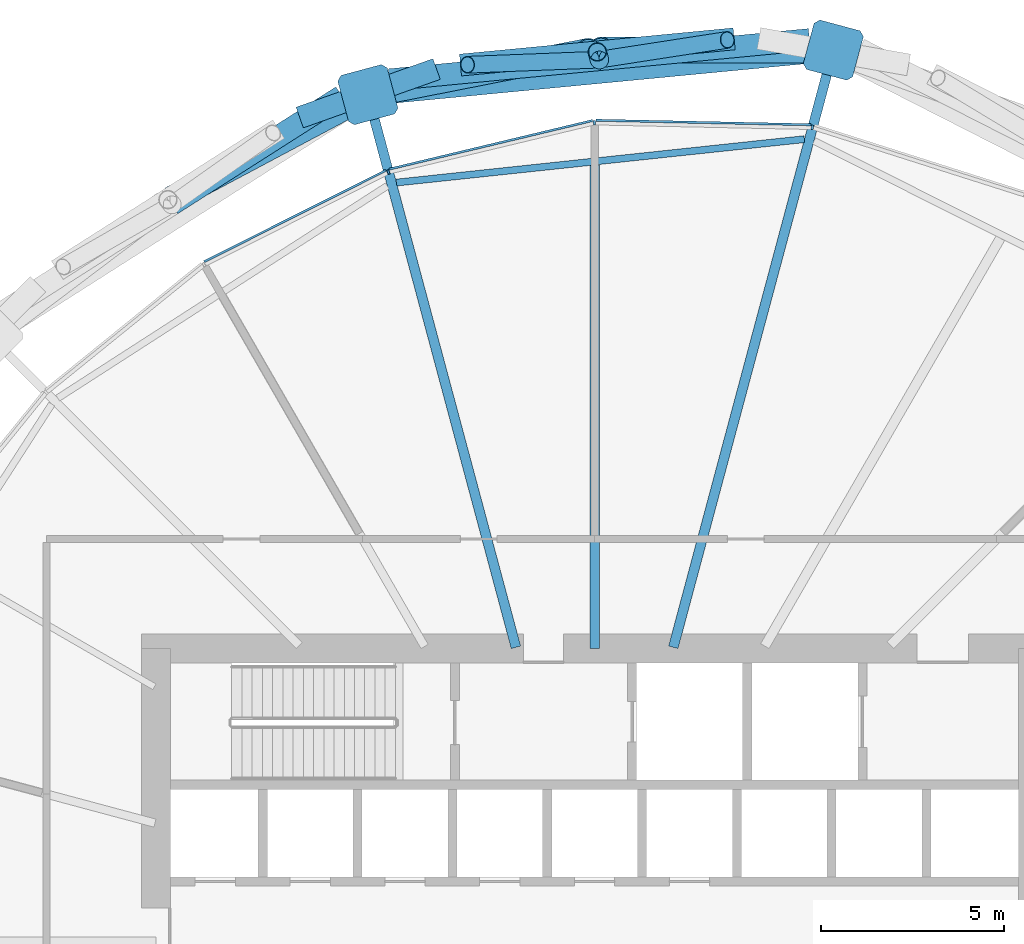
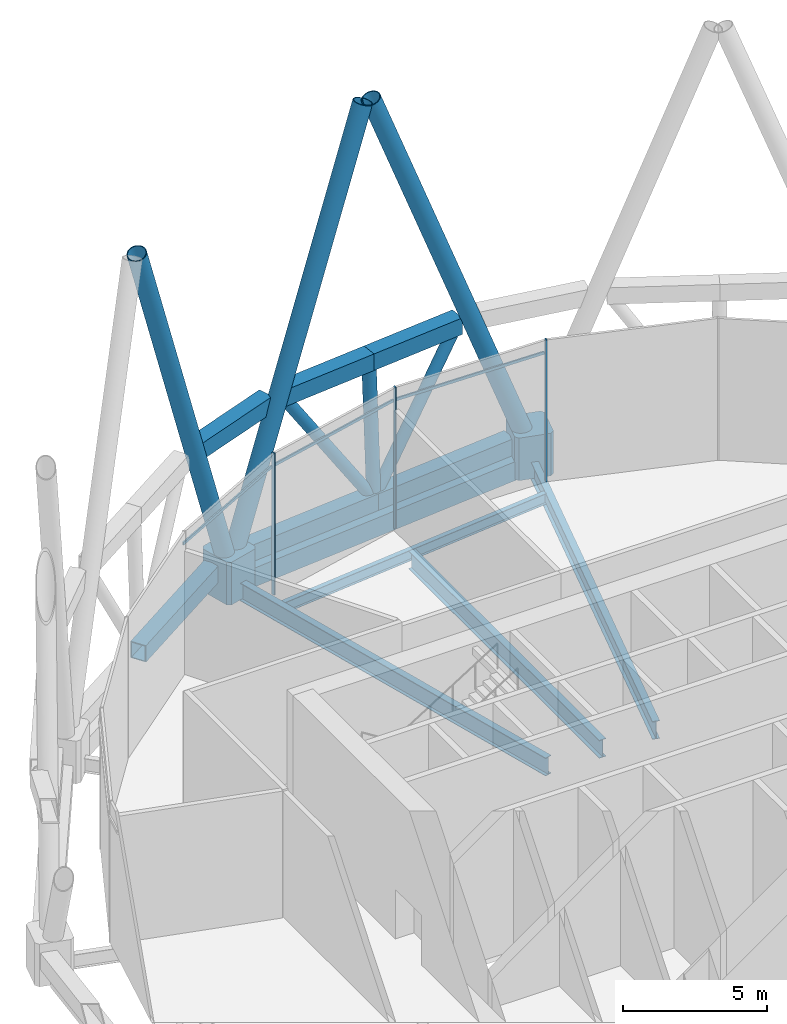
# One storey, part 22 of 33: 20 members, 5 beams, 1 element without a shape of its own.
"""IFC4 building model written with IfcOpenShell, lengths in metres."""

from ifc_helpers import new_model, si_unit, direction, frame, origin, origin_2d, place, context, subcontext, project, spatial, polyline, rectangle, hollow_rectangle, hollow_circle, i_section, outline, extrude, material, material_profile, profile_set, type_object, element, aggregate, save


model = new_model("IFC4")

# Units and contexts
model_context = context("Model", 3, precision=1e-05, world=origin(), true_north=direction((0.0, 1.0)))
body_context = subcontext(model_context, "Body", "Model", "MODEL_VIEW")
ifc_project = project(units=[si_unit("LENGTHUNIT", "METRE"), si_unit("AREAUNIT", "SQUARE_METRE"), si_unit("VOLUMEUNIT", "CUBIC_METRE"), si_unit("PLANEANGLEUNIT", "RADIAN"), si_unit("MASSUNIT", "GRAM", prefix="KILO")], contexts=[model_context])

# Site, building, storey
site_placement = place(None, origin())
site = spatial("IfcSite", under=ifc_project, at=site_placement, CompositionType="ELEMENT")
building_placement = place(site_placement, origin())
building = spatial("IfcBuilding", under=site, at=building_placement, Name="Rimbun Link Towers", CompositionType="ELEMENT")
storey_placement = place(building_placement, frame((0.0, 0.0, 75.60009765625)))
storey = spatial("IfcBuildingStorey", under=building, at=storey_placement, Name="L18", CompositionType="ELEMENT", Elevation=75.60009765625)

# Members
ifc_material_1 = material(Name="Steel S460N", Category="steel")
ifc_material_profile_1 = material_profile(ifc_material_1, hollow_rectangle(XDim=0.60009765625, YDim=0.699951171875, WallThickness=0.034912109375, at=origin_2d()), Name="Belt truss chord BOX 600x700x35")
ifc_profile_set_1 = profile_set([ifc_material_profile_1], Name="Steel S460N")
member_type_1 = type_object("IfcMemberType", Name="Belt truss chord BOX 600x700x35", PredefinedType="CHORD", material=ifc_profile_set_1)
member_1_placement = place(storey_placement, frame((27.426025390625, 23.858154296875, 6.0), z_axis=(-0.942600637208, -0.333922204616, 0.0), x_axis=(0.333922204616, -0.942600637208, 0.0)))
element("IfcMember", 1, at=member_1_placement, inside=storey, type_object=member_type_1, Name="Belt truss chord T2 L18 top 02", PredefinedType="CHORD", context=body_context, shape_type="SweptSolid", body=[
    extrude(hollow_rectangle(XDim=0.60009765625, YDim=0.699951171875, WallThickness=0.034912109375, at=origin_2d()), origin(), (0.0, 0.0, 1.0), 3.9736328125),
])
member_2_placement = place(storey_placement, frame((37.626220703125, 24.6650390625, 0.18994140625), z_axis=(-0.995449928995, -0.095286089562, 0.0), x_axis=(0.095286089562, -0.995449928995, 0.0)))
element("IfcMember", 2, at=member_2_placement, inside=storey, type_object=member_type_1, Name="Belt truss chord T2 L18 bottom 02", PredefinedType="CHORD", context=body_context, shape_type="SweptSolid", body=[
    extrude(hollow_rectangle(XDim=0.60009765625, YDim=0.699951171875, WallThickness=0.034912109375, at=origin_2d()), origin(), (0.0, 0.0, 1.0), 5.772705078125),
])
member_3_placement = place(storey_placement, frame((31.8798828125, 24.114990234375, 0.18994140625), z_axis=(-0.995449544974, -0.095290101327, 0.0), x_axis=(0.095290101327, -0.995449544974, 0.0)))
element("IfcMember", 3, at=member_3_placement, inside=storey, type_object=member_type_1, Name="Belt truss chord T2 L18 bottom 03", PredefinedType="CHORD", context=body_context, shape_type="SweptSolid", body=[
    extrude(hollow_rectangle(XDim=0.60009765625, YDim=0.699951171875, WallThickness=0.034912109375, at=origin_2d()), origin(), (0.0, 0.0, 1.0), 5.7724609375),
])
member_4_placement = place(storey_placement, frame((35.5673828125, 24.6845703125, 6.0), z_axis=(-0.995448669497, -0.095299246565, 0.0), x_axis=(0.095299246565, -0.995448669497, 0.0)))
element("IfcMember", 4, at=member_4_placement, inside=storey, type_object=member_type_1, Name="Belt truss chord T2 L18 top 14", PredefinedType="CHORD", context=body_context, shape_type="SweptSolid", body=[
    extrude(hollow_rectangle(XDim=0.60009765625, YDim=0.699951171875, WallThickness=0.034912109375, at=origin_2d()), origin(), (0.0, 0.0, 1.0), 3.7607421875),
])
member_5_placement = place(storey_placement, frame((31.82373046875, 24.326171875, 6.0), z_axis=(-0.99544925902, -0.095293088506, 0.0), x_axis=(0.095293088506, -0.99544925902, 0.0)))
element("IfcMember", 5, at=member_5_placement, inside=storey, type_object=member_type_1, Name="Belt truss chord T2 L18 top 15", PredefinedType="CHORD", context=body_context, shape_type="SweptSolid", body=[
    extrude(hollow_rectangle(XDim=0.60009765625, YDim=0.699951171875, WallThickness=0.034912109375, at=origin_2d()), origin(), (0.0, 0.0, 1.0), 3.760986328125),
])
member_6_placement = place(storey_placement, frame((24.829833984375, 23.1162109375, 0.18994140625), z_axis=(-0.843225441805, -0.537560093657, 0.0), x_axis=(0.537560093657, -0.843225441805, 0.0)))
element("IfcMember", 6, at=member_6_placement, inside=storey, type_object=member_type_1, Name="Belt truss chord T2 L18 bottom 04", PredefinedType="CHORD", context=body_context, shape_type="SweptSolid", body=[
    extrude(hollow_rectangle(XDim=0.60009765625, YDim=0.699951171875, WallThickness=0.034912109375, at=origin_2d()), origin(), (0.0, 0.0, 1.0), 5.513671875),
])
ifc_material_2 = material(Name="Steel S355J2H", Category="steel")
ifc_material_profile_2 = material_profile(ifc_material_2, hollow_circle(Radius=0.228515625, WallThickness=0.01611328125, at=origin_2d()), Name="Belt truss diagonal CHS 457x16")
ifc_profile_set_2 = profile_set([ifc_material_profile_2], Name="Steel S355J2H")
member_type_2 = type_object("IfcMemberType", Name="Belt truss diagonal CHS 457x16", PredefinedType="BRACE", material=ifc_profile_set_2)
member_7_placement = place(storey_placement, frame((32.06689453125, 24.143798828125, 0.484375), z_axis=(0.534046532514, 0.082509067906, 0.841419369175), x_axis=(-0.152686365324, 0.98827469554, 0.0)))
element("IfcMember", 7, at=member_7_placement, inside=storey, type_object=member_type_2, Name="Belt truss diagonal T2 L18 02", PredefinedType="BRACE", context=body_context, shape_type="SweptSolid", body=[
    extrude(hollow_circle(Radius=0.228515625, WallThickness=0.01611328125, at=origin_2d()), origin(), (0.0, 0.0, 1.0), 6.204833984375),
])
member_8_placement = place(storey_placement, frame((31.6884765625, 24.107666015625, 0.482666015625), z_axis=(-0.547245044209, -0.021231356031, 0.836703108104), x_axis=(0.038767633698, -0.999248252727, 0.0)))
element("IfcMember", 8, at=member_8_placement, inside=storey, type_object=member_type_2, Name="Belt truss diagonal T2 L18 03", PredefinedType="BRACE", context=body_context, shape_type="SweptSolid", body=[
    extrude(hollow_circle(Radius=0.228515625, WallThickness=0.01611328125, at=origin_2d()), origin(), (0.0, 0.0, 1.0), 6.243896484375),
])
ifc_material_3 = material(Name="Steel S355J2H", Category="steel")
ifc_material_profile_3 = material_profile(ifc_material_3, hollow_circle(Radius=0.25390625, WallThickness=0.02001953125, at=origin_2d()), Name="Belt truss strut CHS 508x20")
ifc_profile_set_3 = profile_set([ifc_material_profile_3], Name="Steel S355J2H")
member_type_3 = type_object("IfcMemberType", Name="Belt truss strut CHS 508x20", PredefinedType="STRUT", material=ifc_profile_set_3)
member_9_placement = place(storey_placement, frame((31.8798828125, 24.114990234375, 0.539794921875), z_axis=(-0.010978452925, 0.041288529481, 0.999086948621), x_axis=(-0.966420124842, -0.256967200825, 0.0)))
element("IfcMember", 9, at=member_9_placement, inside=storey, type_object=member_type_3, Name="Belt truss strut T2 L18 01", PredefinedType="STRUT", context=body_context, shape_type="SweptSolid", body=[
    extrude(hollow_circle(Radius=0.25390625, WallThickness=0.02001953125, at=origin_2d()), origin(), (0.0, 0.0, 1.0), 5.11474609375),
])

# Curtain wall, members
ifc_material_4 = material(Name="Aluminium 6063-T6 louvre wall", Category="aluminium")
curtain_wall_type = type_object("IfcCurtainWallType", Name="CW6 plant floor louvre wall", PredefinedType="NOTDEFINED", material=ifc_material_4)
curtain_wall_placement = place(storey_placement, origin())
curtain_wall = element("IfcCurtainWall", 10, at=curtain_wall_placement, inside=storey, type_object=curtain_wall_type, Name="CW6 L18 T2", PredefinedType="NOTDEFINED")
ifc_material_5 = material(Name="Aluminium 6063-T6", Category="aluminium")
ifc_material_profile_4 = material_profile(ifc_material_5, rectangle(XDim=0.1201171875, YDim=0.06005859375, at=origin_2d()), Name="MULLION 60X120")
ifc_profile_set_4 = profile_set([ifc_material_profile_4], Name="Aluminium 6063-T6")
member_type_4 = type_object("IfcMemberType", Name="CW6 mullion 60X120", PredefinedType="MULLION", material=ifc_profile_set_4)
member_10_placement = place(storey_placement, frame((37.709228515625, 22.26220703125, 0.0), z_axis=(0.0, 0.0, 1.0), x_axis=(0.163744728794, 0.986502743935, 0.0)))
member_10 = element("IfcMember", 11, at=member_10_placement, type_object=member_type_4, Name="CW6 mullion", PredefinedType="MULLION", context=body_context, shape_type="SweptSolid", body=[
    extrude(rectangle(XDim=0.1201171875, YDim=0.06005859375, at=origin_2d()), origin(), (0.0, 0.0, 1.0), 6.0),
])
member_11_placement = place(storey_placement, frame((31.74365234375, 22.387939453125, 0.0), z_axis=(0.0, 0.0, 1.0), x_axis=(-0.106634567902, 0.994298279657, 0.0)))
member_11 = element("IfcMember", 12, at=member_11_placement, type_object=member_type_4, Name="CW6 mullion", PredefinedType="MULLION", context=body_context, shape_type="SweptSolid", body=[
    extrude(rectangle(XDim=0.1201171875, YDim=0.06005859375, at=origin_2d()), origin(), (0.0, 0.0, 1.0), 6.0),
])
member_12_placement = place(storey_placement, frame((26.10693359375, 21.0400390625, 0.0), z_axis=(0.0, 0.0, 1.0), x_axis=(-0.342965437423, 0.939348023223, 0.0)))
member_12 = element("IfcMember", 13, at=member_12_placement, type_object=member_type_4, Name="CW6 mullion", PredefinedType="MULLION", context=body_context, shape_type="SweptSolid", body=[
    extrude(rectangle(XDim=0.1201171875, YDim=0.06005859375, at=origin_2d()), origin(), (0.0, 0.0, 1.0), 6.0),
])
ifc_material_6 = material(Name="Aluminium 6063-T6", Category="aluminium")
ifc_material_profile_5 = material_profile(ifc_material_6, rectangle(XDim=0.06005859375, YDim=0.1201171875, at=origin_2d()), Name="TRANSOM 60X120")
ifc_profile_set_5 = profile_set([ifc_material_profile_5], Name="Aluminium 6063-T6")
member_type_5 = type_object("IfcMemberType", Name="CW6 transom 60X120", PredefinedType="USERDEFINED", material=ifc_profile_set_5)
member_13_placement = place(storey_placement, frame((31.78271484375, 22.45751953125, 5.39990234375), z_axis=(0.999778338444, -0.021054072708, 0.0), x_axis=(0.021054072708, 0.999778338444, 0.0)))
member_13 = element("IfcMember", 14, at=member_13_placement, type_object=member_type_5, Name="CW6 transom", ObjectType="TRANSOM", PredefinedType="USERDEFINED", context=body_context, shape_type="SweptSolid", body=[
    extrude(rectangle(XDim=0.06005859375, YDim=0.1201171875, at=origin_2d()), origin(), (0.0, 0.0, 1.0), 5.890625),
])
member_14_placement = place(storey_placement, frame((26.126220703125, 21.1171875, 5.39990234375), z_axis=(0.972581409573, 0.232562683493, 0.0), x_axis=(-0.232562683493, 0.972581409573, 0.0)))
member_14 = element("IfcMember", 15, at=member_14_placement, type_object=member_type_5, Name="CW6 transom", ObjectType="TRANSOM", PredefinedType="USERDEFINED", context=body_context, shape_type="SweptSolid", body=[
    extrude(rectangle(XDim=0.06005859375, YDim=0.1201171875, at=origin_2d()), origin(), (0.0, 0.0, 1.0), 5.721435546875),
])
member_15_placement = place(storey_placement, frame((21.06298828125, 18.585693359375, 5.39990234375), z_axis=(0.893628316927, 0.448807788687, 0.0), x_axis=(-0.448807788687, 0.893628316927, 0.0)))
member_15 = element("IfcMember", 16, at=member_15_placement, type_object=member_type_5, Name="CW6 transom", ObjectType="TRANSOM", PredefinedType="USERDEFINED", context=body_context, shape_type="SweptSolid", body=[
    extrude(rectangle(XDim=0.06005859375, YDim=0.1201171875, at=origin_2d()), origin(), (0.0, 0.0, 1.0), 5.572021484375),
])
aggregate(curtain_wall, [member_10, member_11, member_12, member_13, member_14, member_15])

# Members
ifc_material_7 = material(Name="Steel S460NH", Category="steel")
ifc_material_profile_6 = material_profile(ifc_material_7, hollow_circle(Radius=0.355712890625, WallThickness=0.031982421875, at=origin_2d()), Name="Diagrid diagonal CHS 711x32")
ifc_profile_set_6 = profile_set([ifc_material_profile_6], Name="Steel S460NH")
member_type_6 = type_object("IfcMemberType", Name="Diagrid diagonal CHS 711x32", PredefinedType="BRACE", material=ifc_profile_set_6)
member_16_placement = place(storey_placement, frame((38.10595703125, 24.37646484375, 0.468017578125), z_axis=(-0.351433789127, 0.000138829813, 0.936212728276), x_axis=(-0.000395038288, -0.999999921972, 0.0)))
element("IfcMember", 17, at=member_16_placement, inside=storey, type_object=member_type_6, Name="Diagrid diagonal T2 L18-L22 02b", PredefinedType="BRACE", context=body_context, shape_type="SweptSolid", body=[
    extrude(hollow_circle(Radius=0.355712890625, WallThickness=0.031982421875, at=origin_2d()), origin(), (0.0, 0.0, 1.0), 17.585693359375),
])
member_17_placement = place(storey_placement, frame((25.712646484375, 23.18994140625, 0.4697265625), z_axis=(0.335158704482, 0.066005759087, 0.939846733557), x_axis=(-0.193227312403, 0.98115401734, 0.0)))
element("IfcMember", 18, at=member_17_placement, inside=storey, type_object=member_type_6, Name="Diagrid diagonal T2 L18-L22 04a", PredefinedType="BRACE", context=body_context, shape_type="SweptSolid", body=[
    extrude(hollow_circle(Radius=0.355712890625, WallThickness=0.031982421875, at=origin_2d()), origin(), (0.0, 0.0, 1.0), 17.513671875),
])
member_18_placement = place(storey_placement, frame((25.396728515625, 23.078125, 0.470703125), z_axis=(-0.296650748987, -0.157902640468, 0.941841329131), x_axis=(0.469867369445, -0.882737024901, 0.0)))
element("IfcMember", 19, at=member_18_placement, inside=storey, type_object=member_type_6, Name="Diagrid diagonal T2 L18-L22 04b", PredefinedType="BRACE", context=body_context, shape_type="SweptSolid", body=[
    extrude(hollow_circle(Radius=0.355712890625, WallThickness=0.031982421875, at=origin_2d()), origin(), (0.0, 0.0, 1.0), 17.474609375),
])
ifc_material_8 = material(Name="Cast steel G20Mn5+QT, Rp0.2 300 MPa", Category="steel")
ifc_material_profile_7 = material_profile(ifc_material_8, outline(polyline([(0.699951171875, -0.570068359375), (0.699951171875, 0.570068359375), (0.570068359375, 0.699951171875), (-0.570068359375, 0.699951171875), (-0.699951171875, 0.570068359375), (-0.699951171875, -0.570068359375), (-0.570068359375, -0.699951171875), (0.570068359375, -0.699951171875), (0.699951171875, -0.570068359375)])), Name="NODE 1400x1400")
ifc_profile_set_7 = profile_set([ifc_material_profile_7], Name="Cast steel G20Mn5+QT, Rp0.2 300 MPa")
member_type_7 = type_object("IfcMemberType", Name="Diagrid node cast 1400", PredefinedType="USERDEFINED", material=ifc_profile_set_7)
for number, where, z_axis, x_axis, name in (
    (20, (38.281494140625, 24.376220703125, -0.900146484375), (0.0, 0.0, 1.0), (0.258819045103, 0.965925826289, 0.0), "Diagrid node L18 02"),
    (21, (25.545166015625, 23.156982421875, -0.900146484375), (0.0, 0.0, 1.0), (-0.258819045103, 0.965925826289, 0.0), "Diagrid node L18 04"),
):
    element("IfcMember", number, at=place(storey_placement, frame(where, z_axis=z_axis, x_axis=x_axis)), inside=storey, type_object=member_type_7, Name=name, ObjectType="Diagrid node", PredefinedType="USERDEFINED", context=body_context, shape_type="SweptSolid", body=[
        extrude(outline(polyline([(0.699951171875, -0.570068359375), (0.699951171875, 0.570068359375), (0.570068359375, 0.699951171875), (-0.570068359375, 0.699951171875), (-0.699951171875, 0.570068359375), (-0.699951171875, -0.570068359375), (-0.570068359375, -0.699951171875), (0.570068359375, -0.699951171875), (0.699951171875, -0.570068359375)])), origin(), (0.0, 0.0, 1.0), 1.800048828125),
    ])

# Beams
ifc_material_9 = material(Name="Steel S355J2", Category="steel")
ifc_material_profile_8 = material_profile(ifc_material_9, hollow_rectangle(XDim=0.60009765625, YDim=0.800048828125, WallThickness=0.0400390625, at=origin_2d()), Name="Exoskeleton ring girder BOX 600x800x40")
ifc_profile_set_8 = profile_set([ifc_material_profile_8], Name="Steel S355J2")
beam_type_1 = type_object("IfcBeamType", Name="Exoskeleton ring girder BOX 600x800x40", PredefinedType="BEAM", material=ifc_profile_set_8)
beam_1_placement = place(storey_placement, frame((37.584716796875, 24.3095703125, -0.56005859375), z_axis=(-0.995448357725, -0.095302503124, 0.0), x_axis=(0.095302503124, -0.995448357725, 0.0)))
element("IfcBeam", 22, at=beam_1_placement, inside=storey, type_object=beam_type_1, Name="Exoskeleton ring girder L18 01", PredefinedType="BEAM", context=body_context, shape_type="SweptSolid", body=[
    extrude(hollow_rectangle(XDim=0.60009765625, YDim=0.800048828125, WallThickness=0.0400390625, at=origin_2d()), origin(), (0.0, 0.0, 1.0), 11.39453125),
])
ifc_material_10 = material(Name="Steel S355J2", Category="steel")
ifc_material_profile_9 = material_profile(ifc_material_10, i_section(OverallWidth=0.18994140625, OverallDepth=0.453369140625, WebThickness=0.008544921875, FlangeThickness=0.0126953125, at=origin_2d()), Name="UB 457x191x67")
ifc_profile_set_9 = profile_set([ifc_material_profile_9], Name="Steel S355J2")
beam_type_2 = type_object("IfcBeamType", Name="UB 457x191x67", PredefinedType="BEAM", material=ifc_profile_set_9)
beam_2_placement = place(storey_placement, frame((37.489501953125, 21.939208984375, -0.4267578125), z_axis=(-0.994385017817, -0.105822664589, 0.0), x_axis=(0.105822664589, -0.994385017817, 0.0)))
element("IfcBeam", 23, at=beam_2_placement, inside=storey, type_object=beam_type_2, Name="Edge beam T2 L18 02-04", PredefinedType="BEAM", context=body_context, shape_type="SweptSolid", body=[
    extrude(i_section(OverallWidth=0.18994140625, OverallDepth=0.453369140625, WebThickness=0.008544921875, FlangeThickness=0.0126953125, at=origin_2d()), origin(), (0.0, 0.0, 1.0), 11.223876953125),
])
ifc_material_11 = material(Name="Steel S355J2", Category="steel")
ifc_material_profile_10 = material_profile(ifc_material_11, i_section(OverallWidth=0.2666015625, OverallDepth=0.76220703125, WebThickness=0.014404296875, FlangeThickness=0.021484375, at=origin_2d()), Name="UB 762x267x173")
ifc_profile_set_10 = profile_set([ifc_material_profile_10], Name="Steel S355J2")
beam_type_3 = type_object("IfcBeamType", Name="UB 762x267x173", PredefinedType="BEAM", material=ifc_profile_set_10)
beam_3_placement = place(storey_placement, frame((33.903076171875, 8.035400390625, -0.581298828125), z_axis=(0.258813885829, 0.965927208697, 0.0), x_axis=(-0.965927208697, 0.258813885829, 0.0)))
element("IfcBeam", 24, at=beam_3_placement, inside=storey, type_object=beam_type_3, Name="Radial beam T2 L18 02", PredefinedType="BEAM", context=body_context, shape_type="SweptSolid", body=[
    extrude(i_section(OverallWidth=0.2666015625, OverallDepth=0.76220703125, WebThickness=0.014404296875, FlangeThickness=0.021484375, at=origin_2d()), origin(), (0.0, 0.0, 1.0), 16.417236328125),
])
beam_4_placement = place(storey_placement, frame((31.75, 8.0009765625, -0.581298828125), z_axis=(0.0, 1.0, 0.0), x_axis=(-1.0, 0.0, 0.0)))
element("IfcBeam", 25, at=beam_4_placement, inside=storey, type_object=beam_type_3, Name="Radial beam T2 L18 03", PredefinedType="BEAM", context=body_context, shape_type="SweptSolid", body=[
    extrude(i_section(OverallWidth=0.2666015625, OverallDepth=0.76220703125, WebThickness=0.014404296875, FlangeThickness=0.021484375, at=origin_2d()), origin(), (0.0, 0.0, 1.0), 13.23095703125),
])
beam_5_placement = place(storey_placement, frame((29.596923828125, 8.035400390625, -0.581298828125), z_axis=(-0.258815534331, 0.965926766991, 0.0), x_axis=(-0.965926766991, -0.258815534331, 0.0)))
element("IfcBeam", 26, at=beam_5_placement, inside=storey, type_object=beam_type_3, Name="Radial beam T2 L18 04", PredefinedType="BEAM", context=body_context, shape_type="SweptSolid", body=[
    extrude(i_section(OverallWidth=0.2666015625, OverallDepth=0.76220703125, WebThickness=0.014404296875, FlangeThickness=0.021484375, at=origin_2d()), origin(), (0.0, 0.0, 1.0), 15.155029296875),
])

save(model, "model.ifc")
